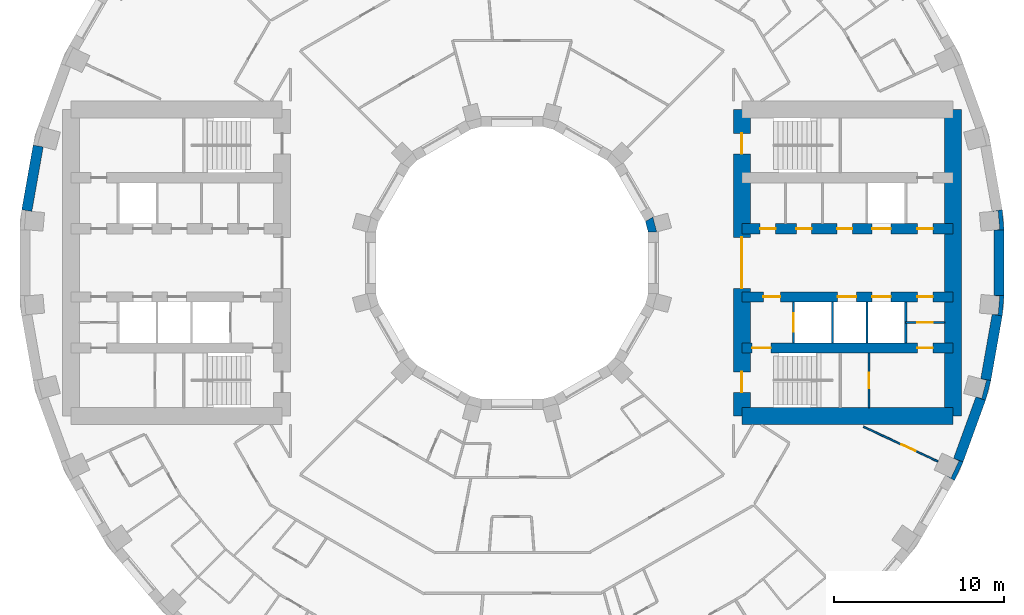
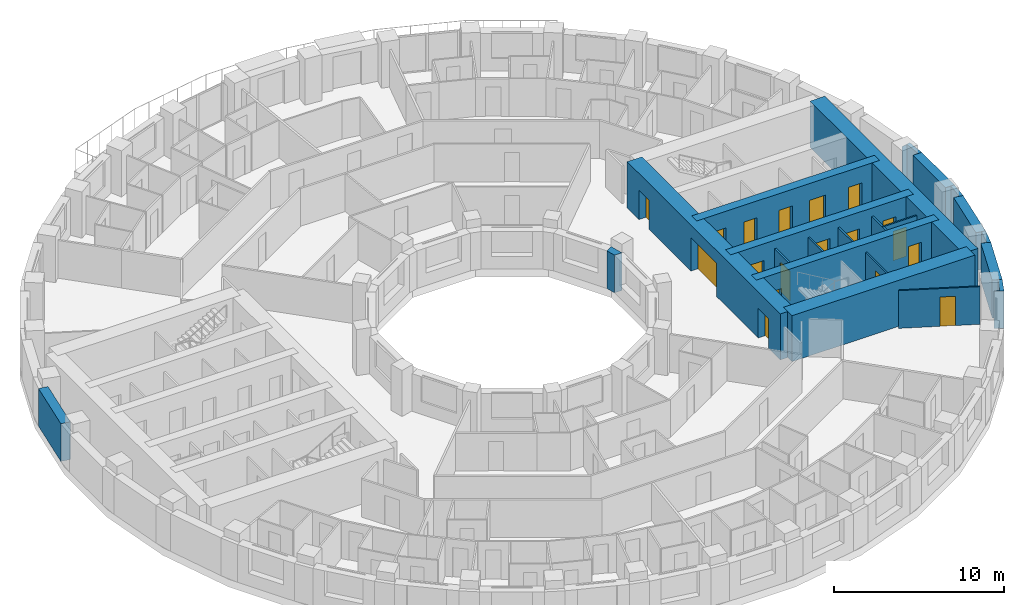
# One storey, part 9 of 15: 22 walls, 18 doors, 18 openings.
"""IFC4 building model written with IfcOpenShell, lengths in metres."""

from ifc_helpers import new_model, si_unit, direction, frame, frame_2d, origin, place, context, subcontext, project, spatial, polyline, rectangle, outline, extrude, material, layer, layer_set, type_object, element, fill, save


model = new_model("IFC4")

# Units and contexts
model_context = context("Model", 3, precision=1e-05, world=origin(), true_north=direction((0.0, 1.0)))
body_context = subcontext(model_context, "Body", "Model", "MODEL_VIEW")
ifc_project = project(units=[si_unit("LENGTHUNIT", "METRE"), si_unit("AREAUNIT", "SQUARE_METRE"), si_unit("VOLUMEUNIT", "CUBIC_METRE"), si_unit("PLANEANGLEUNIT", "RADIAN"), si_unit("MASSUNIT", "GRAM", prefix="KILO")], contexts=[model_context])

# Site, building, storey
site_placement = place(None, origin())
site = spatial("IfcSite", under=ifc_project, at=site_placement, CompositionType="ELEMENT")
building_placement = place(site_placement, origin())
building = spatial("IfcBuilding", under=site, at=building_placement, Name="Saqina Gate Tower", CompositionType="ELEMENT")
storey_placement = place(building_placement, frame((0.0, 0.0, 79.10009765625)))
storey = spatial("IfcBuildingStorey", under=building, at=storey_placement, Name="L22", CompositionType="ELEMENT", Elevation=79.10009765625)

# Walls
ifc_material_1 = material(Name="Brick masonry (red)", Category="masonry")
wall_type_1 = type_object("IfcWallType", Name="BRICK PIER COPING RED", PredefinedType="SOLIDWALL", material=ifc_material_1)
wall_1_placement = place(storey_placement, origin())
element("IfcWall", 1, at=wall_1_placement, inside=storey, type_object=wall_type_1, Name="Pier cap L22 column 1", PredefinedType="SOLIDWALL", context=body_context, shape_type="SweptSolid", body=[
    extrude(outline(polyline([(28.8896484375, 1.9228515625), (28.78466796875, 3.122802734375), (28.19384765625, 3.018798828125), (28.54296875, 3.04931640625), (28.638671875, 1.95361328125), (28.28955078125, 1.9228515625), (28.8896484375, 1.9228515625)])), origin(), (0.0, 0.0, 1.0), 2.699951171875),
])
wall_2_placement = place(storey_placement, origin())
element("IfcWall", 2, at=wall_2_placement, inside=storey, type_object=wall_type_1, Name="Pier cap L22 column 34", PredefinedType="SOLIDWALL", context=body_context, shape_type="SweptSolid", body=[
    extrude(outline(polyline([(26.48974609375, -11.687744140625), (25.92578125, -11.482666015625), (26.243408203125, -11.630615234375), (25.778564453125, -12.627685546875), (25.4609375, -12.4794921875), (25.980712890625, -12.779541015625), (26.48974609375, -11.687744140625)])), origin(), (0.0, 0.0, 1.0), 2.699951171875),
])
wall_3_placement = place(storey_placement, origin())
element("IfcWall", 3, at=wall_3_placement, inside=storey, type_object=wall_type_1, Name="Pier cap L22 column 35", PredefinedType="SOLIDWALL", context=body_context, shape_type="SweptSolid", body=[
    extrude(outline(polyline([(28.11669921875, -6.910400390625), (27.52587890625, -6.80615234375), (27.864501953125, -6.896728515625), (27.57958984375, -7.95947265625), (27.2412109375, -7.86865234375), (27.80517578125, -8.073974609375), (28.11669921875, -6.910400390625)])), origin(), (0.0, 0.0, 1.0), 2.699951171875),
])
wall_4_placement = place(storey_placement, origin())
element("IfcWall", 4, at=wall_4_placement, inside=storey, type_object=wall_type_1, Name="Pier cap L22 column 36", PredefinedType="SOLIDWALL", context=body_context, shape_type="SweptSolid", body=[
    extrude(outline(polyline([(28.78466796875, -3.122802734375), (28.8896484375, -1.9228515625), (28.28955078125, -1.9228515625), (28.638671875, -1.95361328125), (28.54296875, -3.04931640625), (28.19384765625, -3.018798828125), (28.78466796875, -3.122802734375)])), origin(), (0.0, 0.0, 1.0), 2.699951171875),
])

# Wall, opening, door
ifc_material_2 = material(Name="Gypsum board on steel studs", Category="steel")
ifc_layer_1 = layer(ifc_material_2, 0.10009765625)
ifc_layer_set_1 = layer_set([ifc_layer_1], Name="CORE PARTITION")
wall_type_2 = type_object("IfcWallType", Name="CORE PARTITION", PredefinedType="PARTITIONING", material=ifc_layer_set_1)
wall_5_placement = place(storey_placement, frame((23.1201171875, -3.5, 0.0), z_axis=(0.0, 0.0, 1.0), x_axis=(1.0, 0.0, 0.0)))
wall_5 = element("IfcWall", 5, at=wall_5_placement, inside=storey, type_object=wall_type_2, Name="L22-CP-E09", PredefinedType="PARTITIONING", context=body_context, shape_type="SweptSolid", body=[
    extrude(rectangle(XDim=2.27978515625, YDim=0.10009765625, at=frame_2d((1.139892578125, 0.0))), origin(), (0.0, 0.0, 1.0), 2.699951171875),
])
opening_1_placement = place(wall_5_placement, frame((0.68994140625, 0.0, 0.0)))
opening_1 = element("IfcOpeningElement", 6, at=opening_1_placement, cuts=wall_5, Name="Opening G06-D97", PredefinedType="OPENING", context=body_context, shape_type="SweptSolid", body=[
    extrude(rectangle(XDim=0.89990234375, YDim=2.10009765625, at=frame_2d((0.449951171875, 1.050048828125))), frame((0.0, 0.06201171875, 0.0), z_axis=(0.0, -1.0, 0.0), x_axis=(1.0, 0.0, 0.0)), (0.0, 0.0, 1.0), 0.1240234375),
])
ifc_material_3 = material(Name="Steel-framed fire door leaf, EI 60", Category="steel")
door_type_1 = type_object("IfcDoorType", Name="SERVICE ROOM DOOR 900", OperationType="SINGLE_SWING_LEFT", PredefinedType="DOOR", material=ifc_material_3)
door_1_placement = place(opening_1_placement, frame((0.89990234375, 0.0, 0.0), z_axis=(0.0, 0.0, 1.0), x_axis=(-1.0, 0.0, 0.0)))
door_1 = element("IfcDoor", 7, at=door_1_placement, inside=storey, type_object=door_type_1, Name="L22-CD-E08", OperationType="SINGLE_SWING_LEFT", OverallHeight=2.10009765625, OverallWidth=0.89990234375, PredefinedType="DOOR", context=body_context, shape_type="SweptSolid", body=[
    extrude(rectangle(XDim=0.89990234375, YDim=2.10009765625, at=frame_2d((0.449951171875, 1.050048828125))), frame((0.0, 0.02490234375, 0.0), z_axis=(0.0, -1.0, 0.0), x_axis=(1.0, 0.0, 0.0)), (0.0, 0.0, 1.0), 0.050048828125),
])
fill(opening_1, door_1)

wall_6_placement = place(storey_placement, frame((20.961669921875, -8.5, 0.0), z_axis=(0.0, 0.0, 1.0), x_axis=(0.0, 1.0, 0.0)))
wall_6 = element("IfcWall", 8, at=wall_6_placement, inside=storey, type_object=wall_type_2, Name="L22-CP-E12", PredefinedType="PARTITIONING", context=body_context, shape_type="SweptSolid", body=[
    extrude(rectangle(XDim=3.199951171875, YDim=0.10009765625, at=frame_2d((1.60009765625, 0.0))), origin(), (0.0, 0.0, 1.0), 2.699951171875),
])
opening_2_placement = place(wall_6_placement, frame((1.14990234375, 0.0, 0.0)))
opening_2 = element("IfcOpeningElement", 9, at=opening_2_placement, cuts=wall_6, Name="Opening G06-D98", PredefinedType="OPENING", context=body_context, shape_type="SweptSolid", body=[
    extrude(rectangle(XDim=0.89990234375, YDim=2.10009765625, at=frame_2d((0.449951171875, 1.050048828125))), frame((0.0, 0.06201171875, 0.0), z_axis=(0.0, -1.0, 0.0), x_axis=(1.0, 0.0, 0.0)), (0.0, 0.0, 1.0), 0.1240234375),
])
door_2_placement = place(opening_2_placement, frame((0.89990234375, 0.0, 0.0), z_axis=(0.0, 0.0, 1.0), x_axis=(-1.0, 0.0, 0.0)))
door_2 = element("IfcDoor", 10, at=door_2_placement, inside=storey, type_object=door_type_1, Name="L22-CD-E09", OperationType="SINGLE_SWING_RIGHT", OverallHeight=2.10009765625, OverallWidth=0.89990234375, PredefinedType="DOOR", context=body_context, shape_type="SweptSolid", body=[
    extrude(rectangle(XDim=0.89990234375, YDim=2.10009765625, at=frame_2d((0.449951171875, 1.050048828125))), frame((0.0, 0.02490234375, 0.0), z_axis=(0.0, -1.0, 0.0), x_axis=(1.0, 0.0, 0.0)), (0.0, 0.0, 1.0), 0.050048828125),
])
fill(opening_2, door_2)

# Walls
ifc_material_4 = material(Name="Glazed ceramic tile", Category="ceramic")
ifc_layer_2 = layer(ifc_material_4, 0.60009765625)
ifc_layer_set_2 = layer_set([ifc_layer_2], Name="FW-TILE")
wall_type_3 = type_object("IfcWallType", Name="FW-TILE", PredefinedType="SOLIDWALL", material=ifc_layer_set_2)
for number, where, z_axis, x_axis, name in (
    (11, (-27.8212890625, 6.858154296875, 0.0), (0.0, 0.0, 1.0), (-0.173687553279, -0.984800809218, 0.0), "Facade wall L22 facet 17"),
    (12, (27.8212890625, -6.858154296875, 0.0), (0.0, 0.0, 1.0), (0.173687553279, 0.984800809218, 0.0), "Facade wall L22 facet 35"),
):
    element("IfcWall", number, at=place(storey_placement, frame(where, z_axis=z_axis, x_axis=x_axis)), inside=storey, type_object=wall_type_3, Name=name, PredefinedType="SOLIDWALL", context=body_context, shape_type="SweptSolid", body=[
        extrude(rectangle(XDim=3.845703125, YDim=0.60009765625, at=frame_2d((1.9228515625, 0.0))), origin(), (0.0, 0.0, 1.0), 2.699951171875),
    ])
ifc_material_5 = material(Name="Glazed ceramic tile (dark blue)", Category="ceramic")
ifc_layer_3 = layer(ifc_material_5, 0.60009765625)
ifc_layer_set_3 = layer_set([ifc_layer_3], Name="FW-TILE-CB")
wall_type_4 = type_object("IfcWallType", Name="FW-TILE-CB", PredefinedType="SOLIDWALL", material=ifc_layer_set_3)
wall_7_placement = place(storey_placement, frame((28.589599609375, -1.9228515625, 0.0), z_axis=(0.0, 0.0, 1.0), x_axis=(0.0, 1.0, 0.0)))
element("IfcWall", 13, at=wall_7_placement, inside=storey, type_object=wall_type_4, Name="Facade wall L22 facet 36", PredefinedType="SOLIDWALL", context=body_context, shape_type="SweptSolid", body=[
    extrude(rectangle(XDim=3.845703125, YDim=0.60009765625, at=frame_2d((1.9228515625, 0.0))), origin(), (0.0, 0.0, 1.0), 2.699951171875),
])
ifc_material_6 = material(Name="Glazed ceramic tile (white)", Category="ceramic")
ifc_layer_4 = layer(ifc_material_6, 0.60009765625)
ifc_layer_set_4 = layer_set([ifc_layer_4], Name="FW-TILE-WH")
wall_type_5 = type_object("IfcWallType", Name="FW-TILE-WH", PredefinedType="SOLIDWALL", material=ifc_layer_set_4)
wall_8_placement = place(storey_placement, frame((26.207763671875, -11.585205078125, 0.0), z_axis=(0.0, 0.0, 1.0), x_axis=(0.342028474173, 0.939689588564, 0.0)))
element("IfcWall", 14, at=wall_8_placement, inside=storey, type_object=wall_type_5, Name="Facade wall L22 facet 34", PredefinedType="SOLIDWALL", context=body_context, shape_type="SweptSolid", body=[
    extrude(rectangle(XDim=3.845947265625, YDim=0.60009765625, at=frame_2d((1.9228515625, 0.0))), origin(), (0.0, 0.0, 1.0), 2.699951171875),
])

# Wall, opening, door
ifc_material_7 = material(Name="Gypsum board on steel studs, 100 mm", Category="steel")
ifc_layer_5 = layer(ifc_material_7, 0.10009765625)
ifc_layer_set_5 = layer_set([ifc_layer_5], Name="PARTITION 100")
wall_type_6 = type_object("IfcWallType", Name="PARTITION 100", PredefinedType="PARTITIONING", material=ifc_layer_set_5)
wall_9_placement = place(storey_placement, frame((20.64208984375, -9.6259765625, 0.0), z_axis=(0.0, 0.0, 1.0), x_axis=(0.90635409516, -0.422518939442, 0.0)))
wall_9 = element("IfcWall", 15, at=wall_9_placement, inside=storey, type_object=wall_type_6, Name="PARTITION PW3-48", PredefinedType="PARTITIONING", context=body_context, shape_type="SweptSolid", body=[
    extrude(rectangle(XDim=4.813720703125, YDim=0.10009765625, at=frame_2d((2.40673828125, 0.0))), origin(), (0.0, 0.0, 1.0), 2.699951171875),
])
opening_3_placement = place(wall_9_placement, frame((2.460693359375, 0.0, 0.0)))
opening_3 = element("IfcOpeningElement", 16, at=opening_3_placement, cuts=wall_9, Name="Opening G06-D72", PredefinedType="OPENING", context=body_context, shape_type="SweptSolid", body=[
    extrude(rectangle(XDim=0.89990234375, YDim=2.10009765625, at=frame_2d((0.449951171875, 1.050048828125))), frame((0.0, 0.06201171875, 0.0), z_axis=(0.0, -1.0, 0.0), x_axis=(1.0, 0.0, 0.0)), (0.0, 0.0, 1.0), 0.1240234375),
])
ifc_material_8 = material(Name="Timber door leaf, 900 mm", Category="wood")
door_type_2 = type_object("IfcDoorType", Name="DOOR 900 TIMBER", OperationType="SINGLE_SWING_LEFT", PredefinedType="DOOR", material=ifc_material_8)
door_3_placement = place(opening_3_placement, frame((0.89990234375, 0.0, 0.0), z_axis=(0.0, 0.0, 1.0), x_axis=(-1.0, 0.0, 0.0)))
door_3 = element("IfcDoor", 17, at=door_3_placement, inside=storey, type_object=door_type_2, Name="DOOR G06-D72", OperationType="SINGLE_SWING_LEFT", OverallHeight=2.10009765625, OverallWidth=0.89990234375, PredefinedType="DOOR", context=body_context, shape_type="SweptSolid", body=[
    extrude(rectangle(XDim=0.89990234375, YDim=2.10009765625, at=frame_2d((0.449951171875, 1.050048828125))), frame((0.0, 0.02490234375, 0.0), z_axis=(0.0, -1.0, 0.0), x_axis=(1.0, 0.0, 0.0)), (0.0, 0.0, 1.0), 0.050048828125),
])
fill(opening_3, door_3)

ifc_material_9 = material(Name="Autoclaved aerated concrete block", Category="concrete")
ifc_layer_6 = layer(ifc_material_9, 0.1201171875)
ifc_layer_set_6 = layer_set([ifc_layer_6], Name="SHAFT PARTITION")
wall_type_7 = type_object("IfcWallType", Name="SHAFT PARTITION", PredefinedType="PARTITIONING", material=ifc_layer_set_6)
wall_10_placement = place(storey_placement, frame((16.530029296875, -4.699951171875, 0.0), z_axis=(0.0, 0.0, 1.0), x_axis=(0.0, 1.0, 0.0)))
wall_10 = element("IfcWall", 18, at=wall_10_placement, inside=storey, type_object=wall_type_7, Name="L22-CP-E05", PredefinedType="PARTITIONING", context=body_context, shape_type="SweptSolid", body=[
    extrude(rectangle(XDim=2.39990234375, YDim=0.1201171875, at=frame_2d((1.199951171875, 0.0))), origin(), (0.0, 0.0, 1.0), 2.699951171875),
])
opening_4_placement = place(wall_10_placement, frame((0.64990234375, 0.0, 0.0)))
opening_4 = element("IfcOpeningElement", 19, at=opening_4_placement, cuts=wall_10, Name="Opening G06-LD2", PredefinedType="OPENING", context=body_context, shape_type="SweptSolid", body=[
    extrude(rectangle(XDim=1.10009765625, YDim=2.10009765625, at=frame_2d((0.550048828125, 1.050048828125))), frame((0.0, 0.072021484375, 0.0), z_axis=(0.0, -1.0, 0.0), x_axis=(1.0, 0.0, 0.0)), (0.0, 0.0, 1.0), 0.14404296875),
])
ifc_material_10 = material(Name="Stainless steel", Category="steel")
door_type_3 = type_object("IfcDoorType", Name="LANDING DOOR", OperationType="DOUBLE_DOOR_SLIDING", PredefinedType="DOOR", material=ifc_material_10)
door_4_placement = place(opening_4_placement, origin())
door_4 = element("IfcDoor", 20, at=door_4_placement, inside=storey, type_object=door_type_3, Name="LANDING DOOR FF1", OperationType="DOUBLE_DOOR_SLIDING", OverallHeight=2.10009765625, OverallWidth=1.10009765625, PredefinedType="DOOR", context=body_context, shape_type="SweptSolid", body=[
    extrude(rectangle(XDim=1.10009765625, YDim=2.10009765625, at=frame_2d((0.550048828125, 1.050048828125))), frame((0.0, 0.02490234375, 0.0), z_axis=(0.0, -1.0, 0.0), x_axis=(1.0, 0.0, 0.0)), (0.0, 0.0, 1.0), 0.050048828125),
])
fill(opening_4, door_4)

# Walls
for number, where, z_axis, x_axis, name in (
    (21, (18.81005859375, -4.699951171875, 0.0), (0.0, 0.0, 1.0), (0.0, 1.0, 0.0), "L22-CP-E06"),
    (22, (20.840087890625, -4.699951171875, 0.0), (0.0, 0.0, 1.0), (0.0, 1.0, 0.0), "L22-CP-E07"),
    (23, (23.1201171875, -4.699951171875, 0.0), (0.0, 0.0, 1.0), (0.0, 1.0, 0.0), "L22-CP-E08"),
):
    element("IfcWall", number, at=place(storey_placement, frame(where, z_axis=z_axis, x_axis=x_axis)), inside=storey, type_object=wall_type_7, Name=name, PredefinedType="PARTITIONING", context=body_context, shape_type="SweptSolid", body=[
        extrude(rectangle(XDim=2.39990234375, YDim=0.1201171875, at=frame_2d((1.199951171875, 0.0))), origin(), (0.0, 0.0, 1.0), 2.699951171875),
    ])

# Wall, openings, doors
ifc_material_11 = material(Name="Concrete C70/85", Category="concrete")
ifc_layer_7 = layer(ifc_material_11, 0.60009765625)
ifc_layer_set_7 = layer_set([ifc_layer_7], Name="Concrete C70/85")
wall_type_8 = type_object("IfcWallType", Name="STR-CORE WALL-A-I", PredefinedType="SHEAR", material=ifc_layer_set_7)
wall_11_placement = place(storey_placement, frame((13.5, -5.0, 0.0), z_axis=(0.0, 0.0, 1.0), x_axis=(1.0, 0.0, 0.0)))
wall_11 = element("IfcWall", 24, at=wall_11_placement, inside=storey, type_object=wall_type_8, Name="CORE WALL L22 E-X2", PredefinedType="SHEAR", context=body_context, shape_type="SweptSolid", body=[
    extrude(rectangle(XDim=12.39990234375, YDim=0.60009765625, at=frame_2d((6.199951171875, 0.0))), origin(), (0.0, 0.0, 1.0), 3.2998046875),
])
opening_5_placement = place(wall_11_placement, frame((10.31005859375, 0.0, 0.0)))
opening_5 = element("IfcOpeningElement", 25, at=opening_5_placement, cuts=wall_11, Name="Opening G06-D99", PredefinedType="OPENING", context=body_context, shape_type="SweptSolid", body=[
    extrude(rectangle(XDim=0.89990234375, YDim=2.10009765625, at=frame_2d((0.449951171875, 1.050048828125))), frame((0.0, 0.31201171875, 0.0), z_axis=(0.0, -1.0, 0.0), x_axis=(1.0, 0.0, 0.0)), (0.0, 0.0, 1.0), 0.6240234375),
])
opening_6_placement = place(wall_11_placement, frame((0.60009765625, 0.0, 0.0)))
opening_6 = element("IfcOpeningElement", 26, at=opening_6_placement, cuts=wall_11, Name="Opening G06-D100", PredefinedType="OPENING", context=body_context, shape_type="SweptSolid", body=[
    extrude(rectangle(XDim=1.10009765625, YDim=2.10009765625, at=frame_2d((0.550048828125, 1.050048828125))), frame((0.0, 0.31201171875, 0.0), z_axis=(0.0, -1.0, 0.0), x_axis=(1.0, 0.0, 0.0)), (0.0, 0.0, 1.0), 0.6240234375),
])
ifc_material_12 = material(Name="Steel", Category="steel")
door_type_4 = type_object("IfcDoorType", Name="FIRE LOBBY DOOR EI 60 WIDE", OperationType="SINGLE_SWING_LEFT", PredefinedType="DOOR", material=ifc_material_12)
door_5_placement = place(opening_6_placement, frame((1.10009765625, 0.0, 0.0), z_axis=(0.0, 0.0, 1.0), x_axis=(-1.0, 0.0, 0.0)))
door_5 = element("IfcDoor", 27, at=door_5_placement, inside=storey, type_object=door_type_4, Name="L22-CD-E11", OperationType="SINGLE_SWING_RIGHT", OverallHeight=2.10009765625, OverallWidth=1.10009765625, PredefinedType="DOOR", context=body_context, shape_type="SweptSolid", body=[
    extrude(rectangle(XDim=1.10009765625, YDim=2.10009765625, at=frame_2d((0.550048828125, 1.050048828125))), frame((0.0, 0.02490234375, 0.0), z_axis=(0.0, -1.0, 0.0), x_axis=(1.0, 0.0, 0.0)), (0.0, 0.0, 1.0), 0.050048828125),
])
fill(opening_6, door_5)
door_6_placement = place(opening_5_placement, frame((0.89990234375, 0.0, 0.0), z_axis=(0.0, 0.0, 1.0), x_axis=(-1.0, 0.0, 0.0)))
door_6 = element("IfcDoor", 28, at=door_6_placement, inside=storey, type_object=door_type_1, Name="L22-CD-E10", OperationType="SINGLE_SWING_LEFT", OverallHeight=2.10009765625, OverallWidth=0.89990234375, PredefinedType="DOOR", context=body_context, shape_type="SweptSolid", body=[
    extrude(rectangle(XDim=0.89990234375, YDim=2.10009765625, at=frame_2d((0.449951171875, 1.050048828125))), frame((0.0, 0.02490234375, 0.0), z_axis=(0.0, -1.0, 0.0), x_axis=(1.0, 0.0, 0.0)), (0.0, 0.0, 1.0), 0.050048828125),
])
fill(opening_5, door_6)

wall_12_placement = place(storey_placement, frame((13.5, 2.0, 0.0), z_axis=(0.0, 0.0, 1.0), x_axis=(1.0, 0.0, 0.0)))
wall_12 = element("IfcWall", 29, at=wall_12_placement, inside=storey, type_object=wall_type_8, Name="CORE WALL L22 E-L1", PredefinedType="SHEAR", context=body_context, shape_type="SweptSolid", body=[
    extrude(rectangle(XDim=12.39990234375, YDim=0.60009765625, at=frame_2d((6.199951171875, 0.0))), origin(), (0.0, 0.0, 1.0), 3.2998046875),
])
opening_7_placement = place(wall_12_placement, frame((7.64990234375, 0.0, 0.0)))
opening_7 = element("IfcOpeningElement", 30, at=opening_7_placement, cuts=wall_12, Name="Opening G06-LD1", PredefinedType="OPENING", context=body_context, shape_type="SweptSolid", body=[
    extrude(rectangle(XDim=1.10009765625, YDim=2.10009765625, at=frame_2d((0.550048828125, 1.050048828125))), frame((0.0, 0.31201171875, 0.0), z_axis=(0.0, -1.0, 0.0), x_axis=(1.0, 0.0, 0.0)), (0.0, 0.0, 1.0), 0.6240234375),
])
opening_8_placement = place(wall_12_placement, frame((1.075927734375, 0.0, 0.0)))
opening_8 = element("IfcOpeningElement", 31, at=opening_8_placement, cuts=wall_12, Name="Opening G06-D90", PredefinedType="OPENING", context=body_context, shape_type="SweptSolid", body=[
    extrude(rectangle(XDim=0.89990234375, YDim=2.10009765625, at=frame_2d((0.449951171875, 1.050048828125))), frame((0.0, 0.31201171875, 0.0), z_axis=(0.0, -1.0, 0.0), x_axis=(1.0, 0.0, 0.0)), (0.0, 0.0, 1.0), 0.6240234375),
])
opening_9_placement = place(wall_12_placement, frame((3.1962890625, 0.0, 0.0)))
opening_9 = element("IfcOpeningElement", 32, at=opening_9_placement, cuts=wall_12, Name="Opening G06-D91", PredefinedType="OPENING", context=body_context, shape_type="SweptSolid", body=[
    extrude(rectangle(XDim=0.89990234375, YDim=2.10009765625, at=frame_2d((0.449951171875, 1.050048828125))), frame((0.0, 0.31201171875, 0.0), z_axis=(0.0, -1.0, 0.0), x_axis=(1.0, 0.0, 0.0)), (0.0, 0.0, 1.0), 0.6240234375),
])
opening_10_placement = place(wall_12_placement, frame((5.59033203125, 0.0, 0.0)))
opening_10 = element("IfcOpeningElement", 33, at=opening_10_placement, cuts=wall_12, Name="Opening G06-D92", PredefinedType="OPENING", context=body_context, shape_type="SweptSolid", body=[
    extrude(rectangle(XDim=0.89990234375, YDim=2.10009765625, at=frame_2d((0.449951171875, 1.050048828125))), frame((0.0, 0.31201171875, 0.0), z_axis=(0.0, -1.0, 0.0), x_axis=(1.0, 0.0, 0.0)), (0.0, 0.0, 1.0), 0.6240234375),
])
opening_11_placement = place(wall_12_placement, frame((10.31005859375, 0.0, 0.0)))
opening_11 = element("IfcOpeningElement", 34, at=opening_11_placement, cuts=wall_12, Name="Opening G06-D93", PredefinedType="OPENING", context=body_context, shape_type="SweptSolid", body=[
    extrude(rectangle(XDim=0.89990234375, YDim=2.10009765625, at=frame_2d((0.449951171875, 1.050048828125))), frame((0.0, 0.31201171875, 0.0), z_axis=(0.0, -1.0, 0.0), x_axis=(1.0, 0.0, 0.0)), (0.0, 0.0, 1.0), 0.6240234375),
])
door_7_placement = place(opening_7_placement, origin())
door_7 = element("IfcDoor", 35, at=door_7_placement, inside=storey, type_object=door_type_3, Name="LANDING DOOR LR1", OperationType="DOUBLE_DOOR_SLIDING", OverallHeight=2.10009765625, OverallWidth=1.10009765625, PredefinedType="DOOR", context=body_context, shape_type="SweptSolid", body=[
    extrude(rectangle(XDim=1.10009765625, YDim=2.10009765625, at=frame_2d((0.550048828125, 1.050048828125))), frame((0.0, 0.02490234375, 0.0), z_axis=(0.0, -1.0, 0.0), x_axis=(1.0, 0.0, 0.0)), (0.0, 0.0, 1.0), 0.050048828125),
])
fill(opening_7, door_7)
door_8_placement = place(opening_8_placement, origin())
door_8 = element("IfcDoor", 36, at=door_8_placement, inside=storey, type_object=door_type_1, Name="L22-CD-E01", OperationType="SINGLE_SWING_RIGHT", OverallHeight=2.10009765625, OverallWidth=0.89990234375, PredefinedType="DOOR", context=body_context, shape_type="SweptSolid", body=[
    extrude(rectangle(XDim=0.89990234375, YDim=2.10009765625, at=frame_2d((0.449951171875, 1.050048828125))), frame((0.0, 0.02490234375, 0.0), z_axis=(0.0, -1.0, 0.0), x_axis=(1.0, 0.0, 0.0)), (0.0, 0.0, 1.0), 0.050048828125),
])
fill(opening_8, door_8)
door_9_placement = place(opening_9_placement, origin())
door_9 = element("IfcDoor", 37, at=door_9_placement, inside=storey, type_object=door_type_1, Name="L22-CD-E02", OperationType="SINGLE_SWING_LEFT", OverallHeight=2.10009765625, OverallWidth=0.89990234375, PredefinedType="DOOR", context=body_context, shape_type="SweptSolid", body=[
    extrude(rectangle(XDim=0.89990234375, YDim=2.10009765625, at=frame_2d((0.449951171875, 1.050048828125))), frame((0.0, 0.02490234375, 0.0), z_axis=(0.0, -1.0, 0.0), x_axis=(1.0, 0.0, 0.0)), (0.0, 0.0, 1.0), 0.050048828125),
])
fill(opening_9, door_9)
door_10_placement = place(opening_10_placement, origin())
door_10 = element("IfcDoor", 38, at=door_10_placement, inside=storey, type_object=door_type_1, Name="L22-CD-E03", OperationType="SINGLE_SWING_LEFT", OverallHeight=2.10009765625, OverallWidth=0.89990234375, PredefinedType="DOOR", context=body_context, shape_type="SweptSolid", body=[
    extrude(rectangle(XDim=0.89990234375, YDim=2.10009765625, at=frame_2d((0.449951171875, 1.050048828125))), frame((0.0, 0.02490234375, 0.0), z_axis=(0.0, -1.0, 0.0), x_axis=(1.0, 0.0, 0.0)), (0.0, 0.0, 1.0), 0.050048828125),
])
fill(opening_10, door_10)
door_11_placement = place(opening_11_placement, origin())
door_11 = element("IfcDoor", 39, at=door_11_placement, inside=storey, type_object=door_type_1, Name="L22-CD-E04", OperationType="SINGLE_SWING_RIGHT", OverallHeight=2.10009765625, OverallWidth=0.89990234375, PredefinedType="DOOR", context=body_context, shape_type="SweptSolid", body=[
    extrude(rectangle(XDim=0.89990234375, YDim=2.10009765625, at=frame_2d((0.449951171875, 1.050048828125))), frame((0.0, 0.02490234375, 0.0), z_axis=(0.0, -1.0, 0.0), x_axis=(1.0, 0.0, 0.0)), (0.0, 0.0, 1.0), 0.050048828125),
])
fill(opening_11, door_11)

wall_13_placement = place(storey_placement, frame((13.5, -2.0, 0.0), z_axis=(0.0, 0.0, 1.0), x_axis=(1.0, 0.0, 0.0)))
wall_13 = element("IfcWall", 40, at=wall_13_placement, inside=storey, type_object=wall_type_8, Name="CORE WALL L22 E-L2", PredefinedType="SHEAR", context=body_context, shape_type="SweptSolid", body=[
    extrude(rectangle(XDim=12.39990234375, YDim=0.60009765625, at=frame_2d((6.199951171875, 0.0))), origin(), (0.0, 0.0, 1.0), 3.2998046875),
])
opening_12_placement = place(wall_13_placement, frame((5.6201171875, 0.0, 0.0)))
opening_12 = element("IfcOpeningElement", 41, at=opening_12_placement, cuts=wall_13, Name="Opening G06-LD3", PredefinedType="OPENING", context=body_context, shape_type="SweptSolid", body=[
    extrude(rectangle(XDim=1.10009765625, YDim=2.10009765625, at=frame_2d((0.550048828125, 1.050048828125))), frame((0.0, 0.31201171875, 0.0), z_axis=(0.0, -1.0, 0.0), x_axis=(1.0, 0.0, 0.0)), (0.0, 0.0, 1.0), 0.6240234375),
])
opening_13_placement = place(wall_13_placement, frame((7.64990234375, 0.0, 0.0)))
opening_13 = element("IfcOpeningElement", 42, at=opening_13_placement, cuts=wall_13, Name="Opening G06-LD4", PredefinedType="OPENING", context=body_context, shape_type="SweptSolid", body=[
    extrude(rectangle(XDim=1.10009765625, YDim=2.10009765625, at=frame_2d((0.550048828125, 1.050048828125))), frame((0.0, 0.31201171875, 0.0), z_axis=(0.0, -1.0, 0.0), x_axis=(1.0, 0.0, 0.0)), (0.0, 0.0, 1.0), 0.6240234375),
])
opening_14_placement = place(wall_13_placement, frame((1.264892578125, 0.0, 0.0)))
opening_14 = element("IfcOpeningElement", 43, at=opening_14_placement, cuts=wall_13, Name="Opening G06-D94", PredefinedType="OPENING", context=body_context, shape_type="SweptSolid", body=[
    extrude(rectangle(XDim=1.0, YDim=2.10009765625, at=frame_2d((0.5, 1.050048828125))), frame((0.0, 0.31201171875, 0.0), z_axis=(0.0, -1.0, 0.0), x_axis=(1.0, 0.0, 0.0)), (0.0, 0.0, 1.0), 0.6240234375),
])
opening_15_placement = place(wall_13_placement, frame((10.31005859375, 0.0, 0.0)))
opening_15 = element("IfcOpeningElement", 44, at=opening_15_placement, cuts=wall_13, Name="Opening G06-D95", PredefinedType="OPENING", context=body_context, shape_type="SweptSolid", body=[
    extrude(rectangle(XDim=0.89990234375, YDim=2.10009765625, at=frame_2d((0.449951171875, 1.050048828125))), frame((0.0, 0.31201171875, 0.0), z_axis=(0.0, -1.0, 0.0), x_axis=(1.0, 0.0, 0.0)), (0.0, 0.0, 1.0), 0.6240234375),
])
ifc_material_13 = material(Name="Steel", Category="steel")
door_type_5 = type_object("IfcDoorType", Name="FIRE LOBBY DOOR EI 60", OperationType="SINGLE_SWING_LEFT", PredefinedType="DOOR", material=ifc_material_13)
door_12_placement = place(opening_14_placement, origin())
door_12 = element("IfcDoor", 45, at=door_12_placement, inside=storey, type_object=door_type_5, Name="L22-CD-E05", OperationType="SINGLE_SWING_LEFT", OverallHeight=2.10009765625, OverallWidth=1.0, PredefinedType="DOOR", context=body_context, shape_type="SweptSolid", body=[
    extrude(rectangle(XDim=1.0, YDim=2.10009765625, at=frame_2d((0.5, 1.050048828125))), frame((0.0, 0.02490234375, 0.0), z_axis=(0.0, -1.0, 0.0), x_axis=(1.0, 0.0, 0.0)), (0.0, 0.0, 1.0), 0.050048828125),
])
fill(opening_14, door_12)
door_13_placement = place(opening_12_placement, origin())
door_13 = element("IfcDoor", 46, at=door_13_placement, inside=storey, type_object=door_type_3, Name="LANDING DOOR LR3", OperationType="DOUBLE_DOOR_SLIDING", OverallHeight=2.10009765625, OverallWidth=1.10009765625, PredefinedType="DOOR", context=body_context, shape_type="SweptSolid", body=[
    extrude(rectangle(XDim=1.10009765625, YDim=2.10009765625, at=frame_2d((0.550048828125, 1.050048828125))), frame((0.0, 0.02490234375, 0.0), z_axis=(0.0, -1.0, 0.0), x_axis=(1.0, 0.0, 0.0)), (0.0, 0.0, 1.0), 0.050048828125),
])
fill(opening_12, door_13)
door_14_placement = place(opening_13_placement, origin())
door_14 = element("IfcDoor", 47, at=door_14_placement, inside=storey, type_object=door_type_3, Name="LANDING DOOR LR2", OperationType="DOUBLE_DOOR_SLIDING", OverallHeight=2.10009765625, OverallWidth=1.10009765625, PredefinedType="DOOR", context=body_context, shape_type="SweptSolid", body=[
    extrude(rectangle(XDim=1.10009765625, YDim=2.10009765625, at=frame_2d((0.550048828125, 1.050048828125))), frame((0.0, 0.02490234375, 0.0), z_axis=(0.0, -1.0, 0.0), x_axis=(1.0, 0.0, 0.0)), (0.0, 0.0, 1.0), 0.050048828125),
])
fill(opening_13, door_14)
door_15_placement = place(opening_15_placement, frame((0.89990234375, 0.0, 0.0), z_axis=(0.0, 0.0, 1.0), x_axis=(-1.0, 0.0, 0.0)))
door_15 = element("IfcDoor", 48, at=door_15_placement, inside=storey, type_object=door_type_1, Name="L22-CD-E06", OperationType="SINGLE_SWING_LEFT", OverallHeight=2.10009765625, OverallWidth=0.89990234375, PredefinedType="DOOR", context=body_context, shape_type="SweptSolid", body=[
    extrude(rectangle(XDim=0.89990234375, YDim=2.10009765625, at=frame_2d((0.449951171875, 1.050048828125))), frame((0.0, 0.02490234375, 0.0), z_axis=(0.0, -1.0, 0.0), x_axis=(1.0, 0.0, 0.0)), (0.0, 0.0, 1.0), 0.050048828125),
])
fill(opening_15, door_15)

ifc_material_14 = material(Name="Concrete C70/85", Category="concrete")
ifc_layer_8 = layer(ifc_material_14, 1.0)
ifc_layer_set_8 = layer_set([ifc_layer_8], Name="Concrete C70/85")
wall_type_9 = type_object("IfcWallType", Name="STR-CORE WALL-A-O", PredefinedType="SHEAR", material=ifc_layer_set_8)
wall_14_placement = place(storey_placement, frame((13.5, -9.0, 0.0), z_axis=(0.0, 0.0, 1.0), x_axis=(0.0, 1.0, 0.0)))
wall_14 = element("IfcWall", 49, at=wall_14_placement, inside=storey, type_object=wall_type_9, Name="CORE WALL L22 E-W1", PredefinedType="SHEAR", context=body_context, shape_type="SweptSolid", body=[
    extrude(rectangle(XDim=18.0, YDim=1.0, at=frame_2d((9.0, 0.0))), origin(), (0.0, 0.0, 1.0), 3.2998046875),
])
opening_16_placement = place(wall_14_placement, frame((15.39990234375, 0.0, 0.0)))
opening_16 = element("IfcOpeningElement", 50, at=opening_16_placement, cuts=wall_14, Name="Opening G06-D101", PredefinedType="OPENING", context=body_context, shape_type="SweptSolid", body=[
    extrude(rectangle(XDim=1.199951171875, YDim=2.10009765625, at=frame_2d((0.60009765625, 1.050048828125))), frame((0.0, 0.511962890625, 0.0), z_axis=(0.0, -1.0, 0.0), x_axis=(1.0, 0.0, 0.0)), (0.0, 0.0, 1.0), 1.02392578125),
])
opening_17_placement = place(wall_14_placement, frame((1.39990234375, 0.0, 0.0)))
opening_17 = element("IfcOpeningElement", 51, at=opening_17_placement, cuts=wall_14, Name="Opening G06-D102", PredefinedType="OPENING", context=body_context, shape_type="SweptSolid", body=[
    extrude(rectangle(XDim=1.199951171875, YDim=2.10009765625, at=frame_2d((0.60009765625, 1.050048828125))), frame((0.0, 0.511962890625, 0.0), z_axis=(0.0, -1.0, 0.0), x_axis=(1.0, 0.0, 0.0)), (0.0, 0.0, 1.0), 1.02392578125),
])
opening_18_placement = place(wall_14_placement, frame((7.5, 0.0, 0.0)))
opening_18 = element("IfcOpeningElement", 52, at=opening_18_placement, cuts=wall_14, Name="Opening G06-D103", PredefinedType="OPENING", context=body_context, shape_type="SweptSolid", body=[
    extrude(rectangle(XDim=3.0, YDim=2.39990234375, at=frame_2d((1.5, 1.199951171875))), frame((0.0, 0.511962890625, 0.0), z_axis=(0.0, -1.0, 0.0), x_axis=(1.0, 0.0, 0.0)), (0.0, 0.0, 1.0), 1.02392578125),
])
ifc_material_15 = material(Name="Steel", Category="steel")
door_type_6 = type_object("IfcDoorType", Name="FIRE DOOR EI 60", OperationType="SINGLE_SWING_LEFT", PredefinedType="DOOR", material=ifc_material_15)
door_16_placement = place(opening_16_placement, frame((1.199951171875, 0.0, 0.0), z_axis=(0.0, 0.0, 1.0), x_axis=(-1.0, 0.0, 0.0)))
door_16 = element("IfcDoor", 53, at=door_16_placement, inside=storey, type_object=door_type_6, Name="L22-CD-E12", OperationType="SINGLE_SWING_LEFT", OverallHeight=2.10009765625, OverallWidth=1.199951171875, PredefinedType="DOOR", context=body_context, shape_type="SweptSolid", body=[
    extrude(rectangle(XDim=1.199951171875, YDim=2.10009765625, at=frame_2d((0.60009765625, 1.050048828125))), frame((0.0, 0.02490234375, 0.0), z_axis=(0.0, -1.0, 0.0), x_axis=(1.0, 0.0, 0.0)), (0.0, 0.0, 1.0), 0.050048828125),
])
fill(opening_16, door_16)
door_17_placement = place(opening_17_placement, frame((1.199951171875, 0.0, 0.0), z_axis=(0.0, 0.0, 1.0), x_axis=(-1.0, 0.0, 0.0)))
door_17 = element("IfcDoor", 54, at=door_17_placement, inside=storey, type_object=door_type_6, Name="L22-CD-E13", OperationType="SINGLE_SWING_RIGHT", OverallHeight=2.10009765625, OverallWidth=1.199951171875, PredefinedType="DOOR", context=body_context, shape_type="SweptSolid", body=[
    extrude(rectangle(XDim=1.199951171875, YDim=2.10009765625, at=frame_2d((0.60009765625, 1.050048828125))), frame((0.0, 0.02490234375, 0.0), z_axis=(0.0, -1.0, 0.0), x_axis=(1.0, 0.0, 0.0)), (0.0, 0.0, 1.0), 0.050048828125),
])
fill(opening_17, door_17)
ifc_material_16 = material(Name="Steel and fire-resisting glass", Category="steel")
door_type_7 = type_object("IfcDoorType", Name="LOBBY SCREEN DOOR", OperationType="DOUBLE_DOOR_SLIDING", PredefinedType="DOOR", material=ifc_material_16)
door_18_placement = place(opening_18_placement, origin())
door_18 = element("IfcDoor", 55, at=door_18_placement, inside=storey, type_object=door_type_7, Name="L22-CD-E14", OperationType="DOUBLE_DOOR_SLIDING", OverallHeight=2.39990234375, OverallWidth=3.0, PredefinedType="DOOR", context=body_context, shape_type="SweptSolid", body=[
    extrude(rectangle(XDim=3.0, YDim=2.39990234375, at=frame_2d((1.5, 1.199951171875))), frame((0.0, 0.02490234375, 0.0), z_axis=(0.0, -1.0, 0.0), x_axis=(1.0, 0.0, 0.0)), (0.0, 0.0, 1.0), 0.050048828125),
])
fill(opening_18, door_18)

# Walls
wall_15_placement = place(storey_placement, frame((25.89990234375, -9.0, 0.0), z_axis=(0.0, 0.0, 1.0), x_axis=(0.0, 1.0, 0.0)))
element("IfcWall", 56, at=wall_15_placement, inside=storey, type_object=wall_type_9, Name="CORE WALL L22 E-W2", PredefinedType="SHEAR", context=body_context, shape_type="SweptSolid", body=[
    extrude(rectangle(XDim=18.0, YDim=1.0, at=frame_2d((9.0, 0.0))), origin(), (0.0, 0.0, 1.0), 3.2998046875),
])
wall_16_placement = place(storey_placement, frame((13.5, -9.0, 0.0), z_axis=(0.0, 0.0, 1.0), x_axis=(1.0, 0.0, 0.0)))
element("IfcWall", 57, at=wall_16_placement, inside=storey, type_object=wall_type_9, Name="CORE WALL L22 E-SE", PredefinedType="SHEAR", context=body_context, shape_type="SweptSolid", body=[
    extrude(rectangle(XDim=12.39990234375, YDim=1.0, at=frame_2d((6.199951171875, 0.0))), origin(), (0.0, 0.0, 1.0), 3.2998046875),
])
ifc_material_17 = material(Name="Glazed ceramic tile", Category="ceramic")
wall_type_10 = type_object("IfcWallType", Name="TILE PIER COPING", PredefinedType="SOLIDWALL", material=ifc_material_17)
wall_17_placement = place(storey_placement, origin())
element("IfcWall", 58, at=wall_17_placement, inside=storey, type_object=wall_type_10, Name="Well pier cap L22 column 1", PredefinedType="SOLIDWALL", context=body_context, shape_type="SweptSolid", body=[
    extrude(outline(polyline([(8.27001953125, 2.681884765625), (7.83447265625, 2.430419921875), (8.0, 1.8125), (8.502685546875, 1.8125), (8.27001953125, 2.681884765625)])), origin(), (0.0, 0.0, 1.0), 2.699951171875),
])

save(model, "model.ifc")
